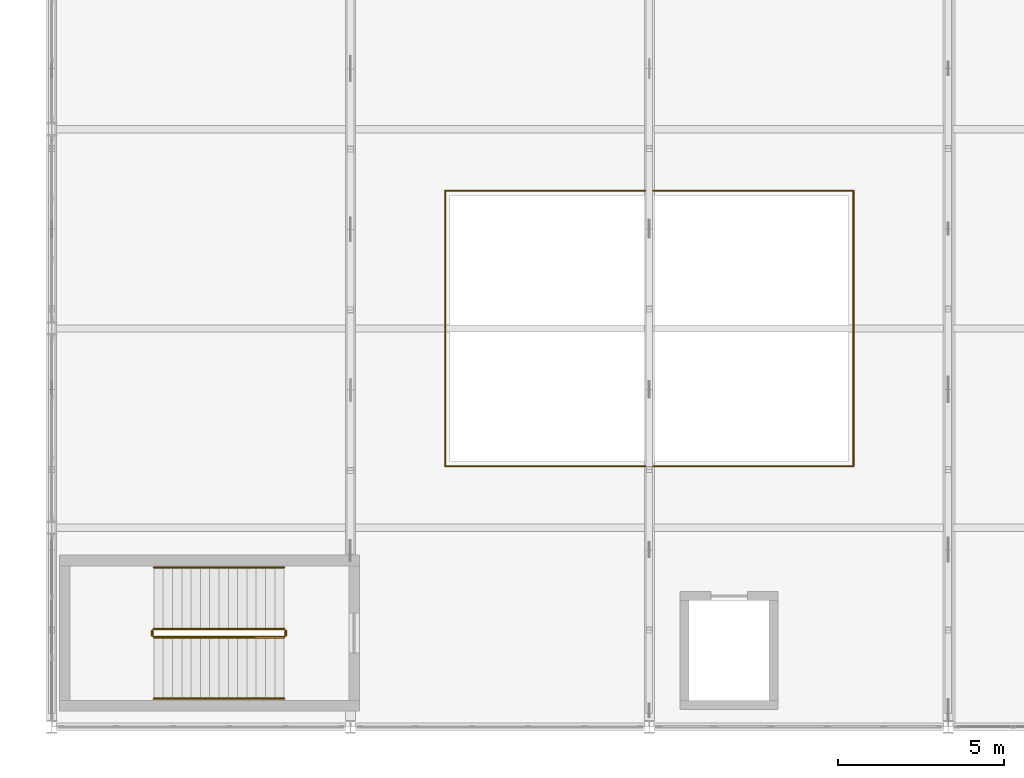
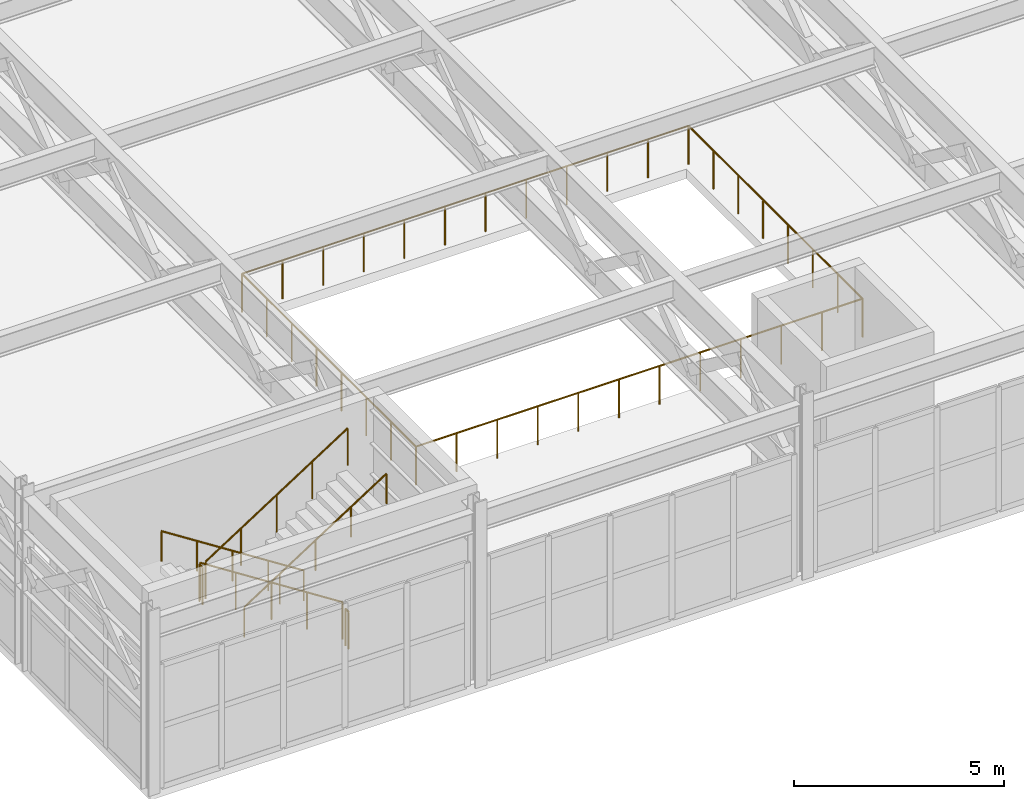
# One storey, part 174 of 210: 7 railings.
"""IFC4 building model written with IfcOpenShell, lengths in metres."""

from ifc_helpers import new_model, si_unit, direction, frame, origin, origin_2d, place, context, subcontext, project, spatial, circle, extrude, material, type_object, element, save


model = new_model("IFC4")

# Units and contexts
model_context = context("Model", 3, precision=1e-05, world=origin(), true_north=direction((0.0, 1.0)))
body_context = subcontext(model_context, "Body", "Model", "MODEL_VIEW")
ifc_project = project(units=[si_unit("LENGTHUNIT", "METRE"), si_unit("AREAUNIT", "SQUARE_METRE"), si_unit("VOLUMEUNIT", "CUBIC_METRE"), si_unit("PLANEANGLEUNIT", "RADIAN"), si_unit("MASSUNIT", "GRAM", prefix="KILO")], contexts=[model_context])

# Site, building, storey
site_placement = place(None, origin())
site = spatial("IfcSite", under=ifc_project, at=site_placement, CompositionType="ELEMENT")
building_placement = place(site_placement, origin())
building = spatial("IfcBuilding", under=site, at=building_placement, Name="Kaldris Quays Convention Centre", CompositionType="ELEMENT")
storey_placement = place(building_placement, frame((0.0, 0.0, 6.0)))
storey = spatial("IfcBuildingStorey", under=building, at=storey_placement, Name="L01", CompositionType="ELEMENT", Elevation=6.0)

# Railings
ifc_material_1 = material(Name="Stainless steel 1.4401", Category="steel")
railing_type_1 = type_object("IfcRailingType", Name="INTERIOR BALUSTRADE BL02", PredefinedType="BALUSTRADE", material=ifc_material_1)
railing_1_placement = place(storey_placement, frame((31.85009765625, 23.85009765625, 0.0)))
element("IfcRailing", 1, at=railing_1_placement, inside=storey, type_object=railing_type_1, Name="L01 Gallery Balustrade GRD-V3-VOID1", PredefinedType="BALUSTRADE", context=body_context, shape_type="SweptSolid", body=[
    extrude(circle(Radius=0.02392578125, at=origin_2d()), frame((0.0, 0.0, 1.11572265625), z_axis=(1.0, 0.0, 0.0), x_axis=(0.0, 1.0, 0.0)), (0.0, 0.0, 1.0), 12.2998046875),
    extrude(circle(Radius=0.02392578125, at=origin_2d()), frame((12.2998046875, 0.0, 1.11572265625), z_axis=(0.0, 1.0, 0.0), x_axis=(-1.0, 0.0, 0.0)), (0.0, 0.0, 1.0), 8.2998046875),
    extrude(circle(Radius=0.02392578125, at=origin_2d()), frame((12.2998046875, 8.2998046875, 1.11572265625), z_axis=(-1.0, 0.0, 0.0), x_axis=(0.0, -1.0, 0.0)), (0.0, 0.0, 1.0), 12.2998046875),
    extrude(circle(Radius=0.02392578125, at=origin_2d()), frame((0.0, 8.2998046875, 1.11572265625), z_axis=(0.0, -1.0, 0.0), x_axis=(1.0, 0.0, 0.0)), (0.0, 0.0, 1.0), 8.2998046875),
    extrude(circle(Radius=0.02099609375, at=origin_2d()), origin(), (0.0, 0.0, 1.0), 1.091796875),
    extrude(circle(Radius=0.02099609375, at=origin_2d()), frame((1.1181640625, 0.0, 0.0)), (0.0, 0.0, 1.0), 1.091796875),
    extrude(circle(Radius=0.02099609375, at=origin_2d()), frame((2.236328125, 0.0, 0.0)), (0.0, 0.0, 1.0), 1.091796875),
    extrude(circle(Radius=0.02099609375, at=origin_2d()), frame((3.3544921875, 0.0, 0.0)), (0.0, 0.0, 1.0), 1.091796875),
    extrude(circle(Radius=0.02099609375, at=origin_2d()), frame((4.47265625, 0.0, 0.0)), (0.0, 0.0, 1.0), 1.091796875),
    extrude(circle(Radius=0.02099609375, at=origin_2d()), frame((5.5908203125, 0.0, 0.0)), (0.0, 0.0, 1.0), 1.091796875),
    extrude(circle(Radius=0.02099609375, at=origin_2d()), frame((6.708984375, 0.0, 0.0)), (0.0, 0.0, 1.0), 1.091796875),
    extrude(circle(Radius=0.02099609375, at=origin_2d()), frame((7.8271484375, 0.0, 0.0)), (0.0, 0.0, 1.0), 1.091796875),
    extrude(circle(Radius=0.02099609375, at=origin_2d()), frame((8.9453125, 0.0, 0.0)), (0.0, 0.0, 1.0), 1.091796875),
    extrude(circle(Radius=0.02099609375, at=origin_2d()), frame((10.0634765625, 0.0, 0.0)), (0.0, 0.0, 1.0), 1.091796875),
    extrude(circle(Radius=0.02099609375, at=origin_2d()), frame((11.181640625, 0.0, 0.0)), (0.0, 0.0, 1.0), 1.091796875),
    extrude(circle(Radius=0.02099609375, at=origin_2d()), frame((12.2998046875, 0.0, 0.0)), (0.0, 0.0, 1.0), 1.091796875),
    extrude(circle(Radius=0.02099609375, at=origin_2d()), frame((12.2998046875, 1.185791015625, 0.0)), (0.0, 0.0, 1.0), 1.091796875),
    extrude(circle(Radius=0.02099609375, at=origin_2d()), frame((12.2998046875, 2.371337890625, 0.0)), (0.0, 0.0, 1.0), 1.091796875),
    extrude(circle(Radius=0.02099609375, at=origin_2d()), frame((12.2998046875, 3.55712890625, 0.0)), (0.0, 0.0, 1.0), 1.091796875),
    extrude(circle(Radius=0.02099609375, at=origin_2d()), frame((12.2998046875, 4.74267578125, 0.0)), (0.0, 0.0, 1.0), 1.091796875),
    extrude(circle(Radius=0.02099609375, at=origin_2d()), frame((12.2998046875, 5.928466796875, 0.0)), (0.0, 0.0, 1.0), 1.091796875),
    extrude(circle(Radius=0.02099609375, at=origin_2d()), frame((12.2998046875, 7.114013671875, 0.0)), (0.0, 0.0, 1.0), 1.091796875),
    extrude(circle(Radius=0.02099609375, at=origin_2d()), frame((12.2998046875, 8.2998046875, 0.0)), (0.0, 0.0, 1.0), 1.091796875),
    extrude(circle(Radius=0.02099609375, at=origin_2d()), frame((11.181640625, 8.2998046875, 0.0)), (0.0, 0.0, 1.0), 1.091796875),
    extrude(circle(Radius=0.02099609375, at=origin_2d()), frame((10.0634765625, 8.2998046875, 0.0)), (0.0, 0.0, 1.0), 1.091796875),
    extrude(circle(Radius=0.02099609375, at=origin_2d()), frame((8.9453125, 8.2998046875, 0.0)), (0.0, 0.0, 1.0), 1.091796875),
    extrude(circle(Radius=0.02099609375, at=origin_2d()), frame((7.8271484375, 8.2998046875, 0.0)), (0.0, 0.0, 1.0), 1.091796875),
    extrude(circle(Radius=0.02099609375, at=origin_2d()), frame((6.708984375, 8.2998046875, 0.0)), (0.0, 0.0, 1.0), 1.091796875),
    extrude(circle(Radius=0.02099609375, at=origin_2d()), frame((5.5908203125, 8.2998046875, 0.0)), (0.0, 0.0, 1.0), 1.091796875),
    extrude(circle(Radius=0.02099609375, at=origin_2d()), frame((4.47265625, 8.2998046875, 0.0)), (0.0, 0.0, 1.0), 1.091796875),
    extrude(circle(Radius=0.02099609375, at=origin_2d()), frame((3.3544921875, 8.2998046875, 0.0)), (0.0, 0.0, 1.0), 1.091796875),
    extrude(circle(Radius=0.02099609375, at=origin_2d()), frame((2.236328125, 8.2998046875, 0.0)), (0.0, 0.0, 1.0), 1.091796875),
    extrude(circle(Radius=0.02099609375, at=origin_2d()), frame((1.1181640625, 8.2998046875, 0.0)), (0.0, 0.0, 1.0), 1.091796875),
    extrude(circle(Radius=0.02099609375, at=origin_2d()), frame((0.0, 8.2998046875, 0.0)), (0.0, 0.0, 1.0), 1.091796875),
    extrude(circle(Radius=0.02099609375, at=origin_2d()), frame((0.0, 7.114013671875, 0.0)), (0.0, 0.0, 1.0), 1.091796875),
    extrude(circle(Radius=0.02099609375, at=origin_2d()), frame((0.0, 5.928466796875, 0.0)), (0.0, 0.0, 1.0), 1.091796875),
    extrude(circle(Radius=0.02099609375, at=origin_2d()), frame((0.0, 4.74267578125, 0.0)), (0.0, 0.0, 1.0), 1.091796875),
    extrude(circle(Radius=0.02099609375, at=origin_2d()), frame((0.0, 3.55712890625, 0.0)), (0.0, 0.0, 1.0), 1.091796875),
    extrude(circle(Radius=0.02099609375, at=origin_2d()), frame((0.0, 2.371337890625, 0.0)), (0.0, 0.0, 1.0), 1.091796875),
    extrude(circle(Radius=0.02099609375, at=origin_2d()), frame((0.0, 1.185791015625, 0.0)), (0.0, 0.0, 1.0), 1.091796875),
])
ifc_material_2 = material(Name="Steel S355J2", Category="steel")
railing_type_2 = type_object("IfcRailingType", Name="INTERIOR GUARDRAIL GR01", PredefinedType="GUARDRAIL", material=ifc_material_2)
railing_2_placement = place(storey_placement, frame((27.0, 18.949951171875, 0.179931640625)))
element("IfcRailing", 2, at=railing_2_placement, inside=storey, type_object=railing_type_2, Name="L01 ST05 Stair Guardrail 1", PredefinedType="GUARDRAIL", context=body_context, shape_type="SweptSolid", body=[
    extrude(circle(Radius=0.02392578125, at=origin_2d()), frame((0.0, 0.0, 1.076171875), z_axis=(-0.841171666519, 0.0, 0.540768182723), x_axis=(0.0, -1.0, 0.0)), (0.0, 0.0, 1.0), 4.66015625),
    extrude(circle(Radius=0.02099609375, at=origin_2d()), origin(), (0.0, 0.0, 1.0), 1.052001953125),
    extrude(circle(Radius=0.02099609375, at=origin_2d()), frame((-0.97998046875, 0.0, 0.6298828125)), (0.0, 0.0, 1.0), 1.052001953125),
    extrude(circle(Radius=0.02099609375, at=origin_2d()), frame((-1.9599609375, 0.0, 1.260009765625)), (0.0, 0.0, 1.0), 1.052001953125),
    extrude(circle(Radius=0.02099609375, at=origin_2d()), frame((-2.93994140625, 0.0, 1.89013671875)), (0.0, 0.0, 1.0), 1.052001953125),
    extrude(circle(Radius=0.02099609375, at=origin_2d()), frame((-3.919921875, 0.0, 2.52001953125)), (0.0, 0.0, 1.0), 1.052001953125),
])
railing_3_placement = place(storey_placement, frame((23.030029296875, 18.89990234375, 2.699951171875)))
element("IfcRailing", 3, at=railing_3_placement, inside=storey, type_object=railing_type_2, Name="L01 ST05 Stair Guardrail 2", PredefinedType="GUARDRAIL", context=body_context, shape_type="SweptSolid", body=[
    extrude(circle(Radius=0.02392578125, at=origin_2d()), frame((0.0, 0.0, 1.076171875), z_axis=(0.0, -1.0, 0.0), x_axis=(1.0, 0.0, 0.0)), (0.0, 0.0, 1.0), 0.14990234375),
    extrude(circle(Radius=0.02099609375, at=origin_2d()), origin(), (0.0, 0.0, 1.0), 1.052001953125),
    extrude(circle(Radius=0.02099609375, at=origin_2d()), frame((0.0, -0.14990234375, 0.0)), (0.0, 0.0, 1.0), 1.052001953125),
])
railing_4_placement = place(storey_placement, frame((23.080078125, 18.699951171875, 2.8798828125)))
element("IfcRailing", 4, at=railing_4_placement, inside=storey, type_object=railing_type_2, Name="L01 ST05 Stair Guardrail 3", PredefinedType="GUARDRAIL", context=body_context, shape_type="SweptSolid", body=[
    extrude(circle(Radius=0.02392578125, at=origin_2d()), frame((0.0, 0.0, 1.076171875), z_axis=(0.841171666519, 0.0, 0.540768182723), x_axis=(0.0, 1.0, 0.0)), (0.0, 0.0, 1.0), 4.66015625),
    extrude(circle(Radius=0.02099609375, at=origin_2d()), origin(), (0.0, 0.0, 1.0), 1.052001953125),
    extrude(circle(Radius=0.02099609375, at=origin_2d()), frame((0.97998046875, 0.0, 0.6298828125)), (0.0, 0.0, 1.0), 1.052001953125),
    extrude(circle(Radius=0.02099609375, at=origin_2d()), frame((1.9599609375, 0.0, 1.260009765625)), (0.0, 0.0, 1.0), 1.052001953125),
    extrude(circle(Radius=0.02099609375, at=origin_2d()), frame((2.93994140625, 0.0, 1.89013671875)), (0.0, 0.0, 1.0), 1.052001953125),
    extrude(circle(Radius=0.02099609375, at=origin_2d()), frame((3.919921875, 0.0, 2.52001953125)), (0.0, 0.0, 1.0), 1.052001953125),
])
railing_5_placement = place(storey_placement, frame((27.050048828125, 18.89990234375, 0.0)))
element("IfcRailing", 5, at=railing_5_placement, inside=storey, type_object=railing_type_2, Name="L01 ST05 Stair Guardrail 4", PredefinedType="GUARDRAIL", context=body_context, shape_type="SweptSolid", body=[
    extrude(circle(Radius=0.02392578125, at=origin_2d()), frame((0.0, 0.0, 1.076171875), z_axis=(0.0, -1.0, 0.0), x_axis=(1.0, 0.0, 0.0)), (0.0, 0.0, 1.0), 0.14990234375),
    extrude(circle(Radius=0.02099609375, at=origin_2d()), origin(), (0.0, 0.0, 1.0), 1.052001953125),
    extrude(circle(Radius=0.02099609375, at=origin_2d()), frame((0.0, -0.14990234375, 0.0)), (0.0, 0.0, 1.0), 1.052001953125),
])
ifc_material_3 = material(Name="Stainless steel 1.4301", Category="steel")
railing_type_3 = type_object("IfcRailingType", Name="STAIR HANDRAIL HR01", PredefinedType="HANDRAIL", material=ifc_material_3)
railing_6_placement = place(storey_placement, frame((27.0, 20.800048828125, 0.179931640625)))
element("IfcRailing", 6, at=railing_6_placement, inside=storey, type_object=railing_type_3, Name="L01 ST05 Flight Handrail 1", PredefinedType="HANDRAIL", context=body_context, shape_type="SweptSolid", body=[
    extrude(circle(Radius=0.02392578125, at=origin_2d()), frame((0.0, 0.0, 0.8759765625), z_axis=(-0.841171666519, 0.0, 0.540768182723), x_axis=(0.0, -1.0, 0.0)), (0.0, 0.0, 1.0), 4.66015625),
    extrude(circle(Radius=0.02099609375, at=origin_2d()), origin(), (0.0, 0.0, 1.0), 0.851806640625),
    extrude(circle(Radius=0.02099609375, at=origin_2d()), frame((-0.97998046875, 0.0, 0.6298828125)), (0.0, 0.0, 1.0), 0.851806640625),
    extrude(circle(Radius=0.02099609375, at=origin_2d()), frame((-1.9599609375, 0.0, 1.260009765625)), (0.0, 0.0, 1.0), 0.851806640625),
    extrude(circle(Radius=0.02099609375, at=origin_2d()), frame((-2.93994140625, 0.0, 1.89013671875)), (0.0, 0.0, 1.0), 0.851806640625),
    extrude(circle(Radius=0.02099609375, at=origin_2d()), frame((-3.919921875, 0.0, 2.52001953125)), (0.0, 0.0, 1.0), 0.851806640625),
])
railing_7_placement = place(storey_placement, frame((23.080078125, 16.85009765625, 2.8798828125)))
element("IfcRailing", 7, at=railing_7_placement, inside=storey, type_object=railing_type_3, Name="L01 ST05 Flight Handrail 2", PredefinedType="HANDRAIL", context=body_context, shape_type="SweptSolid", body=[
    extrude(circle(Radius=0.02392578125, at=origin_2d()), frame((0.0, 0.0, 0.8759765625), z_axis=(0.841171666519, 0.0, 0.540768182723), x_axis=(0.0, 1.0, 0.0)), (0.0, 0.0, 1.0), 4.66015625),
    extrude(circle(Radius=0.02099609375, at=origin_2d()), origin(), (0.0, 0.0, 1.0), 0.851806640625),
    extrude(circle(Radius=0.02099609375, at=origin_2d()), frame((0.97998046875, 0.0, 0.6298828125)), (0.0, 0.0, 1.0), 0.851806640625),
    extrude(circle(Radius=0.02099609375, at=origin_2d()), frame((1.9599609375, 0.0, 1.260009765625)), (0.0, 0.0, 1.0), 0.851806640625),
    extrude(circle(Radius=0.02099609375, at=origin_2d()), frame((2.93994140625, 0.0, 1.89013671875)), (0.0, 0.0, 1.0), 0.851806640625),
    extrude(circle(Radius=0.02099609375, at=origin_2d()), frame((3.919921875, 0.0, 2.52001953125)), (0.0, 0.0, 1.0), 0.851806640625),
])

save(model, "model.ifc")
